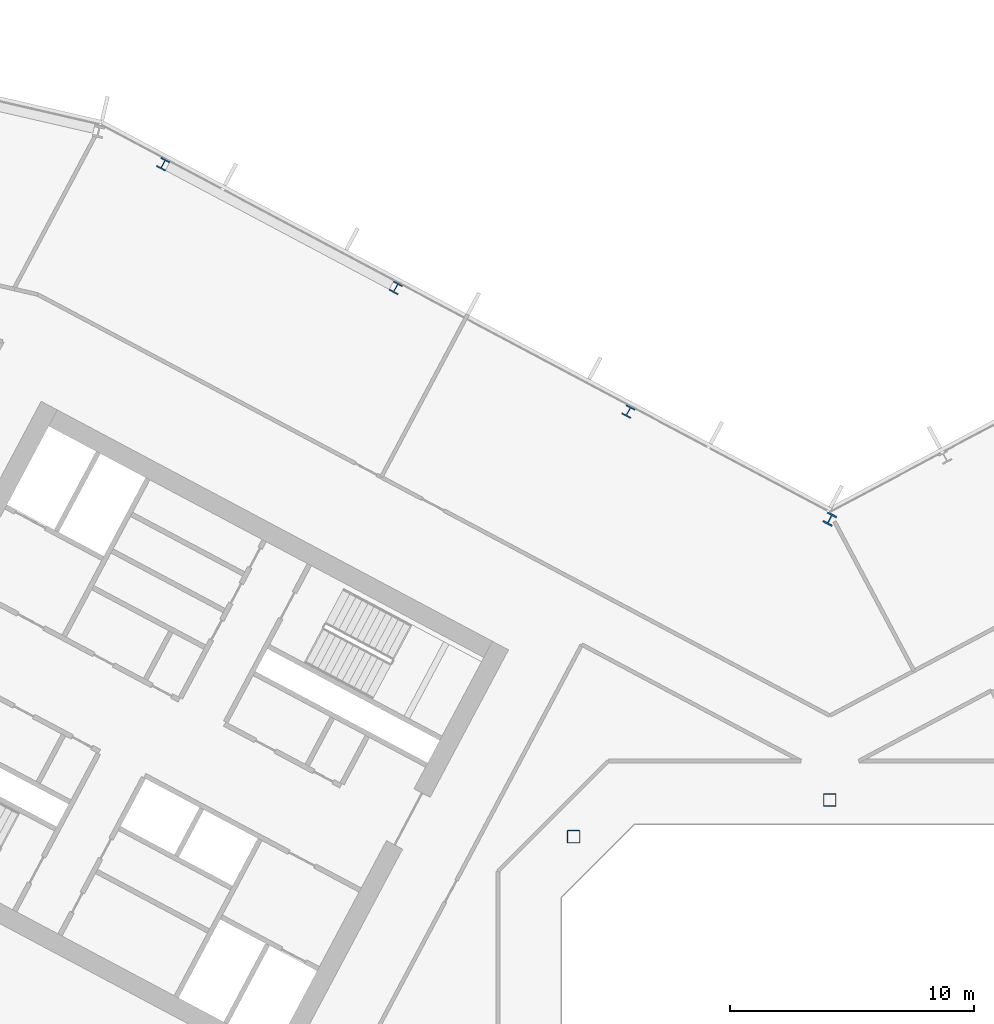
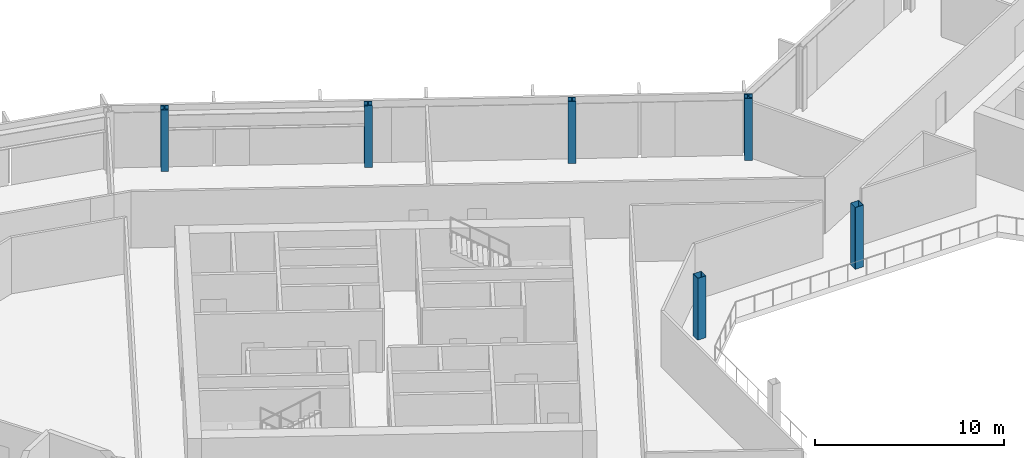
# One storey, part 4 of 28: 6 columns.
"""IFC4 building model written with IfcOpenShell, lengths in metres."""

from ifc_helpers import new_model, si_unit, direction, frame, origin, origin_2d, place, context, subcontext, project, spatial, hollow_rectangle, i_section, extrude, material, material_profile, profile_set, type_object, element, save


model = new_model("IFC4")

# Units and contexts
model_context = context("Model", 3, precision=1e-05, world=origin(), true_north=direction((0.0, 1.0)))
body_context = subcontext(model_context, "Body", "Model", "MODEL_VIEW")
ifc_project = project(units=[si_unit("LENGTHUNIT", "METRE"), si_unit("AREAUNIT", "SQUARE_METRE"), si_unit("VOLUMEUNIT", "CUBIC_METRE"), si_unit("PLANEANGLEUNIT", "RADIAN"), si_unit("MASSUNIT", "GRAM", prefix="KILO")], contexts=[model_context])

# Site, building, storey
site_placement = place(None, origin())
site = spatial("IfcSite", under=ifc_project, at=site_placement, CompositionType="ELEMENT")
building_placement = place(site_placement, origin())
building = spatial("IfcBuilding", under=site, at=building_placement, Name="Cormorant Relay Tower", CompositionType="ELEMENT")
storey_placement = place(building_placement, frame((0.0, 0.0, 142.199951171875)))
storey = spatial("IfcBuildingStorey", under=building, at=storey_placement, Name="L29", CompositionType="ELEMENT", Elevation=142.199951171875)

# Columns
ifc_material_1 = material(Name="Steel ASTM A500 Grade C (Fy 345 MPa)", Category="steel")
ifc_material_profile_1 = material_profile(ifc_material_1, hollow_rectangle(XDim=0.508056640625, YDim=0.508056640625, WallThickness=0.01171875, InnerFilletRadius=0.005859375, OuterFilletRadius=0.017822265625, at=origin_2d()), Name="HSS508x508x12")
ifc_profile_set_1 = profile_set([ifc_material_profile_1], Name="Steel ASTM A500 Grade C (Fy 345 MPa)")
column_type_1 = type_object("IfcColumnType", Name="Column HSS508x508x12", PredefinedType="COLUMN", material=ifc_profile_set_1)
for number, where, z_axis, x_axis, name in (
    (1, (-10.5, 10.5, 0.0), (0.0, 0.0, 1.0), (1.0, 0.0, 0.0), "Column L29-023"),
    (2, (0.0, 12.0, 0.0), (0.0, 0.0, 1.0), (1.0, 0.0, 0.0), "Column L29-025"),
):
    element("IfcColumn", number, at=place(storey_placement, frame(where, z_axis=z_axis, x_axis=x_axis)), inside=storey, type_object=column_type_1, Name=name, PredefinedType="COLUMN", context=body_context, shape_type="SweptSolid", body=[
        extrude(hollow_rectangle(XDim=0.508056640625, YDim=0.508056640625, WallThickness=0.01171875, InnerFilletRadius=0.005859375, OuterFilletRadius=0.017822265625, at=origin_2d()), origin(), (0.0, 0.0, 1.0), 4.0),
    ])
ifc_material_2 = material(Name="Steel ASTM A992 (Fy 345 MPa)", Category="steel")
ifc_material_profile_2 = material_profile(ifc_material_2, i_section(OverallWidth=0.41162109375, OverallDepth=0.434326171875, WebThickness=0.035888671875, FlangeThickness=0.057373046875, FilletRadius=0.01513671875, at=origin_2d()), Name="W360x463")
ifc_profile_set_2 = profile_set([ifc_material_profile_2], Name="Steel ASTM A992 (Fy 345 MPa)")
column_type_2 = type_object("IfcColumnType", Name="Column W360x463", PredefinedType="COLUMN", material=ifc_profile_set_2)
for number, where, z_axis, x_axis, name in (
    (3, (-8.257080078125, 27.925048828125, 0.0), (0.0, 0.0, 1.0), (-0.882947592859, 0.469471562786, 0.0), "Column L29-036"),
    (4, (-17.7919921875, 32.9951171875, 0.0), (0.0, 0.0, 1.0), (-0.882947592859, 0.469471562786, 0.0), "Column L29-040"),
    (5, (-27.327880859375, 38.06494140625, 0.0), (0.0, 0.0, 1.0), (-0.882947592859, 0.469471562786, 0.0), "Column L29-044"),
):
    element("IfcColumn", number, at=place(storey_placement, frame(where, z_axis=z_axis, x_axis=x_axis)), inside=storey, type_object=column_type_2, Name=name, PredefinedType="COLUMN", context=body_context, shape_type="SweptSolid", body=[
        extrude(i_section(OverallWidth=0.41162109375, OverallDepth=0.434326171875, WebThickness=0.035888671875, FlangeThickness=0.057373046875, FilletRadius=0.01513671875, at=origin_2d()), origin(), (0.0, 0.0, 1.0), 4.0),
    ])
ifc_material_3 = material(Name="Steel ASTM A992 (Fy 345 MPa)", Category="steel")
ifc_material_profile_3 = material_profile(ifc_material_3, i_section(OverallWidth=0.42431640625, OverallDepth=0.47509765625, WebThickness=0.0478515625, FlangeThickness=0.0771484375, FilletRadius=0.014892578125, at=origin_2d()), Name="W360x634")
ifc_profile_set_3 = profile_set([ifc_material_profile_3], Name="Steel ASTM A992 (Fy 345 MPa)")
column_type_3 = type_object("IfcColumnType", Name="Column W360x634", PredefinedType="COLUMN", material=ifc_profile_set_3)
column_placement = place(storey_placement, frame((0.0, 23.513916015625, 0.0), z_axis=(0.0, 0.0, 1.0), x_axis=(-0.882947592859, 0.469471562786, 0.0)))
element("IfcColumn", 6, at=column_placement, inside=storey, type_object=column_type_3, Name="Column L29-032", PredefinedType="COLUMN", context=body_context, shape_type="SweptSolid", body=[
    extrude(i_section(OverallWidth=0.42431640625, OverallDepth=0.47509765625, WebThickness=0.0478515625, FlangeThickness=0.0771484375, FilletRadius=0.014892578125, at=origin_2d()), origin(), (0.0, 0.0, 1.0), 4.0),
])

save(model, "model.ifc")
